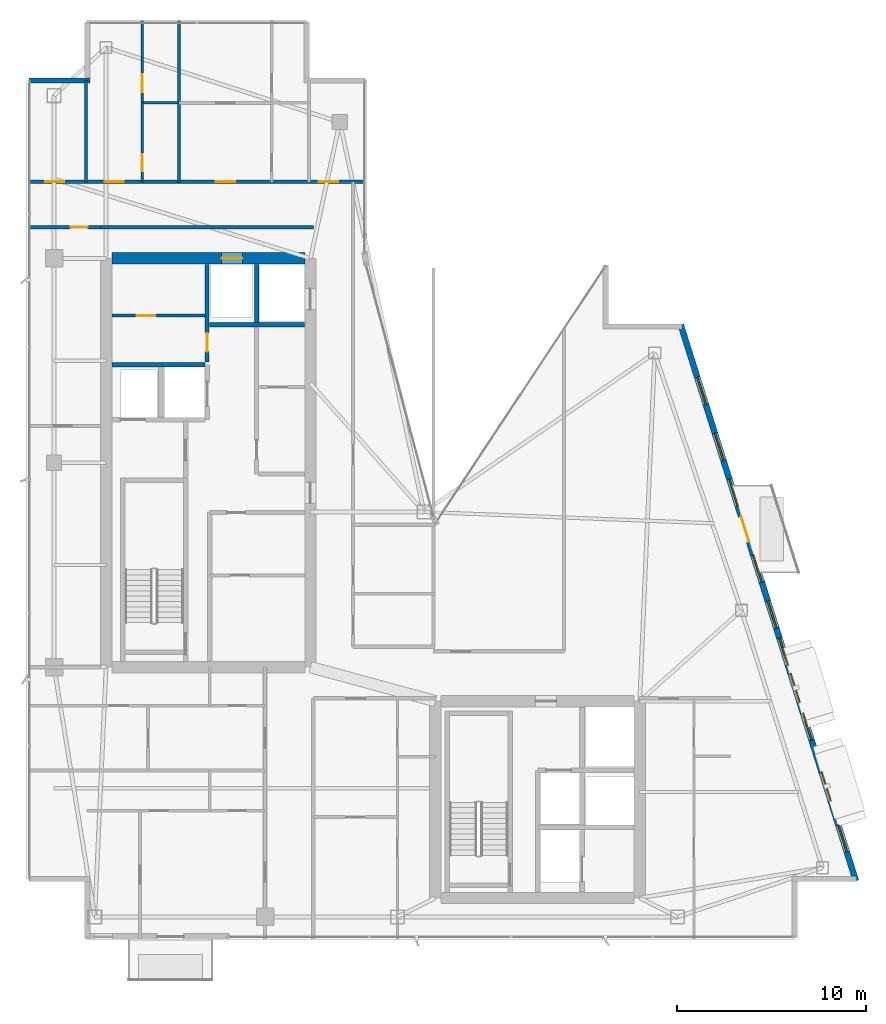
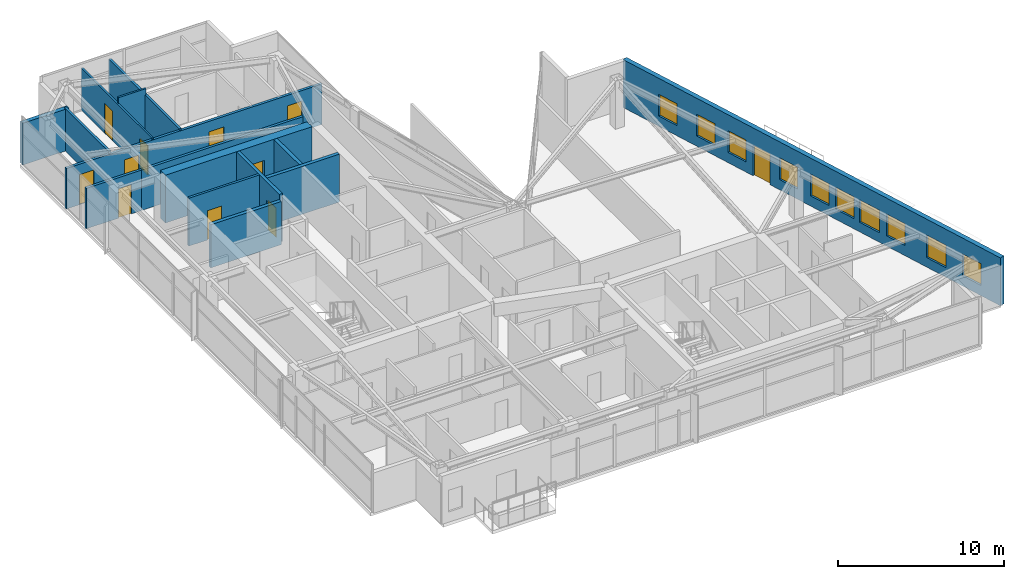
# One storey, part 24 of 27: 15 walls, 11 doors, 10 windows, 21 openings.
"""IFC4 building model written with IfcOpenShell, lengths in metres."""

from ifc_helpers import new_model, si_unit, direction, frame, frame_2d, origin, place, context, subcontext, project, spatial, rectangle, extrude, material, layer, layer_set, type_object, element, fill, save


model = new_model("IFC4")

# Units and contexts
model_context = context("Model", 3, precision=1e-05, world=origin(), true_north=direction((0.0, 1.0)))
body_context = subcontext(model_context, "Body", "Model", "MODEL_VIEW")
ifc_project = project(units=[si_unit("LENGTHUNIT", "METRE"), si_unit("AREAUNIT", "SQUARE_METRE"), si_unit("VOLUMEUNIT", "CUBIC_METRE"), si_unit("PLANEANGLEUNIT", "RADIAN"), si_unit("MASSUNIT", "GRAM", prefix="KILO")], contexts=[model_context])

# Site, building, storey
site_placement = place(None, origin())
site = spatial("IfcSite", under=ifc_project, at=site_placement, CompositionType="ELEMENT")
building_placement = place(site_placement, origin())
building = spatial("IfcBuilding", under=site, at=building_placement, Name="Calvorn Quay Hotel", CompositionType="ELEMENT")
storey_placement = place(building_placement, frame((0.0, 0.0, 278.699951171875)))
storey = spatial("IfcBuildingStorey", under=building, at=storey_placement, Name="L69", CompositionType="ELEMENT", Elevation=278.699951171875)

# Wall, opening, door
ifc_material_1 = material(Name="Concrete C45", Category="concrete")
ifc_layer_1 = layer(ifc_material_1, 0.60009765625)
ifc_layer_set_1 = layer_set([ifc_layer_1], Name="WL-CORE-600")
wall_type_1 = type_object("IfcWallType", Name="WL-CORE-600", PredefinedType="SHEAR", material=ifc_layer_set_1)
wall_1_placement = place(storey_placement, frame((4.5, 38.39990234375, 0.0), z_axis=(0.0, 0.0, 1.0), x_axis=(1.0, 0.0, 0.0)))
wall_1 = element("IfcWall", 1, at=wall_1_placement, inside=storey, type_object=wall_type_1, Name="West Core Shear Wall N (L69)", PredefinedType="SHEAR", context=body_context, shape_type="SweptSolid", body=[
    extrude(rectangle(XDim=10.199951171875, YDim=0.60009765625, at=frame_2d((5.10009765625, 0.0))), origin(), (0.0, 0.0, 1.0), 3.52001953125),
])
opening_1_placement = place(wall_1_placement, frame((5.800048828125, 0.0, 0.0)))
opening_1 = element("IfcOpeningElement", 2, at=opening_1_placement, cuts=wall_1, Name="Opening LD-L69-H2", PredefinedType="OPENING", context=body_context, shape_type="SweptSolid", body=[
    extrude(rectangle(XDim=1.10009765625, YDim=2.199951171875, at=frame_2d((0.550048828125, 1.10009765625))), frame((0.0, 0.31005859375, 0.0), z_axis=(0.0, -1.0, 0.0), x_axis=(1.0, 0.0, 0.0)), (0.0, 0.0, 1.0), 0.6201171875),
])
ifc_material_2 = material(Name="Brushed Stainless Steel Sliding Lift Landing Door", Category="steel")
door_type_1 = type_object("IfcDoorType", Name="DR-LIFT-PASS-1100", OperationType="NOTDEFINED", PredefinedType="DOOR", material=ifc_material_2)
door_1_placement = place(opening_1_placement, origin())
door_1 = element("IfcDoor", 3, at=door_1_placement, inside=storey, type_object=door_type_1, Name="High-Rise Lift PL-H2 Landing Door (L69)", OperationType="DOUBLE_DOOR_SLIDING", OverallHeight=2.199951171875, OverallWidth=1.10009765625, PredefinedType="DOOR", context=body_context, shape_type="SweptSolid", body=[
    extrude(rectangle(XDim=1.10009765625, YDim=2.199951171875, at=frame_2d((0.550048828125, 1.10009765625))), frame((0.0, 0.02490234375, 0.0), z_axis=(0.0, -1.0, 0.0), x_axis=(1.0, 0.0, 0.0)), (0.0, 0.0, 1.0), 0.050048828125),
])
fill(opening_1, door_1)

ifc_material_3 = material(Name="Acoustic Fireboard Steel-Stud Partition", Category="steel")
ifc_layer_2 = layer(ifc_material_3, 0.179931640625)
ifc_layer_set_2 = layer_set([ifc_layer_2], Name="WL-CORR-FIRE-180")
wall_type_2 = type_object("IfcWallType", Name="WL-CORR-FIRE-180", PredefinedType="PARTITIONING", material=ifc_layer_set_2)
wall_2_placement = place(storey_placement, frame((0.080078125, 40.050048828125, 0.0), z_axis=(0.0, 0.0, 1.0), x_axis=(1.0, 0.0, 0.0)))
wall_2 = element("IfcWall", 4, at=wall_2_placement, inside=storey, type_object=wall_type_2, Name="Partition Wall L69-WL-WBAY-N-DOOR", PredefinedType="PARTITIONING", context=body_context, shape_type="SweptSolid", body=[
    extrude(rectangle(XDim=3.849853515625, YDim=0.179931640625, at=frame_2d((1.9248046875, 0.0))), origin(), (0.0, 0.0, 1.0), 2.969970703125),
])
opening_2_placement = place(wall_2_placement, frame((2.25, 0.0, 0.0)))
opening_2 = element("IfcOpeningElement", 5, at=opening_2_placement, cuts=wall_2, Name="Opening D-L69-WBN", PredefinedType="OPENING", context=body_context, shape_type="SweptSolid", body=[
    extrude(rectangle(XDim=0.89990234375, YDim=2.14990234375, at=frame_2d((0.449951171875, 1.074951171875))), frame((0.0, 0.099853515625, 0.0), z_axis=(0.0, -1.0, 0.0), x_axis=(1.0, 0.0, 0.0)), (0.0, 0.0, 1.0), 0.199951171875),
])
ifc_material_4 = material(Name="Moisture-Sealed Timber En-Suite Door", Category="wood")
door_type_2 = type_object("IfcDoorType", Name="DR-ENSUITE-900", OperationType="NOTDEFINED", PredefinedType="DOOR", material=ifc_material_4)
door_2_placement = place(opening_2_placement, origin())
door_2 = element("IfcDoor", 6, at=door_2_placement, inside=storey, type_object=door_type_2, Name="West North Bay Door (L69)", OperationType="SINGLE_SWING_LEFT", OverallHeight=2.14990234375, OverallWidth=0.89990234375, PredefinedType="DOOR", context=body_context, shape_type="SweptSolid", body=[
    extrude(rectangle(XDim=0.89990234375, YDim=2.14990234375, at=frame_2d((0.449951171875, 1.074951171875))), frame((0.0, 0.02490234375, 0.0), z_axis=(0.0, -1.0, 0.0), x_axis=(1.0, 0.0, 0.0)), (0.0, 0.0, 1.0), 0.050048828125),
])
fill(opening_2, door_2)

# Wall, openings, doors
wall_3_placement = place(storey_placement, frame((0.080078125, 42.449951171875, 0.0), z_axis=(0.0, 0.0, 1.0), x_axis=(1.0, 0.0, 0.0)))
wall_3 = element("IfcWall", 7, at=wall_3_placement, inside=storey, type_object=wall_type_2, Name="Partition Wall L69-WL-CORR-NW-N", PredefinedType="PARTITIONING", context=body_context, shape_type="SweptSolid", body=[
    extrude(rectangle(XDim=17.77001953125, YDim=0.179931640625, at=frame_2d((8.885009765625, 0.0))), origin(), (0.0, 0.0, 1.0), 2.969970703125),
])
opening_3_placement = place(wall_3_placement, frame((0.89990234375, 0.0, 0.0)))
opening_3 = element("IfcOpeningElement", 8, at=opening_3_placement, cuts=wall_3, Name="Opening D-L69-NWW", PredefinedType="OPENING", context=body_context, shape_type="SweptSolid", body=[
    extrude(rectangle(XDim=1.02001953125, YDim=2.199951171875, at=frame_2d((0.510009765625, 1.10009765625))), frame((0.0, 0.099853515625, 0.0), z_axis=(0.0, -1.0, 0.0), x_axis=(1.0, 0.0, 0.0)), (0.0, 0.0, 1.0), 0.199951171875),
])
opening_4_placement = place(wall_3_placement, frame((4.0400390625, 0.0, 0.0)))
opening_4 = element("IfcOpeningElement", 9, at=opening_4_placement, cuts=wall_3, Name="Opening D-L69-U04", PredefinedType="OPENING", context=body_context, shape_type="SweptSolid", body=[
    extrude(rectangle(XDim=1.02001953125, YDim=2.199951171875, at=frame_2d((0.510009765625, 1.10009765625))), frame((0.0, 0.099853515625, 0.0), z_axis=(0.0, -1.0, 0.0), x_axis=(1.0, 0.0, 0.0)), (0.0, 0.0, 1.0), 0.199951171875),
])
opening_5_placement = place(wall_3_placement, frame((9.919921875, 0.0, 0.0)))
opening_5 = element("IfcOpeningElement", 10, at=opening_5_placement, cuts=wall_3, Name="Opening D-L69-U05", PredefinedType="OPENING", context=body_context, shape_type="SweptSolid", body=[
    extrude(rectangle(XDim=1.02001953125, YDim=2.199951171875, at=frame_2d((0.510009765625, 1.10009765625))), frame((0.0, 0.099853515625, 0.0), z_axis=(0.0, -1.0, 0.0), x_axis=(1.0, 0.0, 0.0)), (0.0, 0.0, 1.0), 0.199951171875),
])
opening_6_placement = place(wall_3_placement, frame((15.3701171875, 0.0, 0.0)))
opening_6 = element("IfcOpeningElement", 11, at=opening_6_placement, cuts=wall_3, Name="Opening D-L69-NWE", PredefinedType="OPENING", context=body_context, shape_type="SweptSolid", body=[
    extrude(rectangle(XDim=1.02001953125, YDim=2.199951171875, at=frame_2d((0.510009765625, 1.10009765625))), frame((0.0, 0.099853515625, 0.0), z_axis=(0.0, -1.0, 0.0), x_axis=(1.0, 0.0, 0.0)), (0.0, 0.0, 1.0), 0.199951171875),
])
ifc_material_5 = material(Name="Solid-Core Walnut Veneer Hotel Fire Door")
door_type_3 = type_object("IfcDoorType", Name="DR-GUEST-ENTRY-1020", OperationType="NOTDEFINED", PredefinedType="DOOR", material=ifc_material_5)
door_3_placement = place(opening_3_placement, origin())
door_3 = element("IfcDoor", 12, at=door_3_placement, inside=storey, type_object=door_type_3, Name="West Corner Study Door (L69)", OperationType="SINGLE_SWING_LEFT", OverallHeight=2.199951171875, OverallWidth=1.02001953125, PredefinedType="DOOR", context=body_context, shape_type="SweptSolid", body=[
    extrude(rectangle(XDim=1.02001953125, YDim=2.199951171875, at=frame_2d((0.510009765625, 1.10009765625))), frame((0.0, 0.02490234375, 0.0), z_axis=(0.0, -1.0, 0.0), x_axis=(1.0, 0.0, 0.0)), (0.0, 0.0, 1.0), 0.050048828125),
])
fill(opening_3, door_3)
door_4_placement = place(opening_4_placement, origin())
door_4 = element("IfcDoor", 13, at=door_4_placement, inside=storey, type_object=door_type_3, Name="North-West Unit Door U04 (L69)", OperationType="SINGLE_SWING_RIGHT", OverallHeight=2.199951171875, OverallWidth=1.02001953125, PredefinedType="DOOR", context=body_context, shape_type="SweptSolid", body=[
    extrude(rectangle(XDim=1.02001953125, YDim=2.199951171875, at=frame_2d((0.510009765625, 1.10009765625))), frame((0.0, 0.02490234375, 0.0), z_axis=(0.0, -1.0, 0.0), x_axis=(1.0, 0.0, 0.0)), (0.0, 0.0, 1.0), 0.050048828125),
])
fill(opening_4, door_4)
door_5_placement = place(opening_5_placement, origin())
door_5 = element("IfcDoor", 14, at=door_5_placement, inside=storey, type_object=door_type_3, Name="North-West Unit Door U05 (L69)", OperationType="SINGLE_SWING_LEFT", OverallHeight=2.199951171875, OverallWidth=1.02001953125, PredefinedType="DOOR", context=body_context, shape_type="SweptSolid", body=[
    extrude(rectangle(XDim=1.02001953125, YDim=2.199951171875, at=frame_2d((0.510009765625, 1.10009765625))), frame((0.0, 0.02490234375, 0.0), z_axis=(0.0, -1.0, 0.0), x_axis=(1.0, 0.0, 0.0)), (0.0, 0.0, 1.0), 0.050048828125),
])
fill(opening_5, door_5)
door_6_placement = place(opening_6_placement, origin())
door_6 = element("IfcDoor", 15, at=door_6_placement, inside=storey, type_object=door_type_3, Name="Inner Court Study Door (L69)", OperationType="SINGLE_SWING_RIGHT", OverallHeight=2.199951171875, OverallWidth=1.02001953125, PredefinedType="DOOR", context=body_context, shape_type="SweptSolid", body=[
    extrude(rectangle(XDim=1.02001953125, YDim=2.199951171875, at=frame_2d((0.510009765625, 1.10009765625))), frame((0.0, 0.02490234375, 0.0), z_axis=(0.0, -1.0, 0.0), x_axis=(1.0, 0.0, 0.0)), (0.0, 0.0, 1.0), 0.050048828125),
])
fill(opening_6, door_6)

# Walls
wall_4_placement = place(storey_placement, frame((3.8798828125, 40.050048828125, 0.0), z_axis=(0.0, 0.0, 1.0), x_axis=(1.0, 0.0, 0.0)))
element("IfcWall", 16, at=wall_4_placement, inside=storey, type_object=wall_type_2, Name="Partition Wall L69-WL-W-SPUR-S", PredefinedType="PARTITIONING", context=body_context, shape_type="SweptSolid", body=[
    extrude(rectangle(XDim=11.27001953125, YDim=0.179931640625, at=frame_2d((5.635009765625, 0.0))), origin(), (0.0, 0.0, 1.0), 2.969970703125),
])
ifc_material_6 = material(Name="Moisture-Resistant Tile-Backed Partition")
ifc_layer_3 = layer(ifc_material_6, 0.125)
ifc_layer_set_3 = layer_set([ifc_layer_3], Name="WL-ENSUITE-125")
wall_type_3 = type_object("IfcWallType", Name="WL-ENSUITE-125", PredefinedType="PARTITIONING", material=ifc_layer_set_3)
wall_5_placement = place(storey_placement, frame((6.1201171875, 46.6201171875, 0.0), z_axis=(0.0, 0.0, 1.0), x_axis=(1.0, 0.0, 0.0)))
element("IfcWall", 17, at=wall_5_placement, inside=storey, type_object=wall_type_3, Name="Partition Wall L69-WL-U04-BDV", PredefinedType="PARTITIONING", context=body_context, shape_type="SweptSolid", body=[
    extrude(rectangle(XDim=1.929931640625, YDim=0.125, at=frame_2d((0.96484375, 0.0))), origin(), (0.0, 0.0, 1.0), 3.52001953125),
])

# Wall, openings, doors
wall_6_placement = place(storey_placement, frame((6.1201171875, 42.449951171875, 0.0), z_axis=(0.0, 0.0, 1.0), x_axis=(0.0, 1.0, 0.0)))
wall_6 = element("IfcWall", 18, at=wall_6_placement, inside=storey, type_object=wall_type_3, Name="Partition Wall L69-WL-U04-BV", PredefinedType="PARTITIONING", context=body_context, shape_type="SweptSolid", body=[
    extrude(rectangle(XDim=8.489990234375, YDim=0.125, at=frame_2d((4.2451171875, 0.0))), origin(), (0.0, 0.0, 1.0), 3.070068359375),
])
opening_7_placement = place(wall_6_placement, frame((0.550048828125, 0.0, 0.0)))
opening_7 = element("IfcOpeningElement", 19, at=opening_7_placement, cuts=wall_6, Name="Opening D-L69-E04", PredefinedType="OPENING", context=body_context, shape_type="SweptSolid", body=[
    extrude(rectangle(XDim=0.89990234375, YDim=2.14990234375, at=frame_2d((0.449951171875, 1.074951171875))), frame((0.0, 0.072509765625, 0.0), z_axis=(0.0, -1.0, 0.0), x_axis=(1.0, 0.0, 0.0)), (0.0, 0.0, 1.0), 0.14501953125),
])
opening_8_placement = place(wall_6_placement, frame((4.719970703125, 0.0, 0.0)))
opening_8 = element("IfcOpeningElement", 20, at=opening_8_placement, cuts=wall_6, Name="Opening D-L69-S04", PredefinedType="OPENING", context=body_context, shape_type="SweptSolid", body=[
    extrude(rectangle(XDim=0.9599609375, YDim=2.199951171875, at=frame_2d((0.47998046875, 1.10009765625))), frame((0.0, 0.072509765625, 0.0), z_axis=(0.0, -1.0, 0.0), x_axis=(1.0, 0.0, 0.0)), (0.0, 0.0, 1.0), 0.14501953125),
])
door_7_placement = place(opening_7_placement, origin())
door_7 = element("IfcDoor", 21, at=door_7_placement, inside=storey, type_object=door_type_2, Name="En-Suite Door 04", OperationType="SINGLE_SWING_LEFT", OverallHeight=2.14990234375, OverallWidth=0.89990234375, PredefinedType="DOOR", context=body_context, shape_type="SweptSolid", body=[
    extrude(rectangle(XDim=0.89990234375, YDim=2.14990234375, at=frame_2d((0.449951171875, 1.074951171875))), frame((0.0, 0.02490234375, 0.0), z_axis=(0.0, -1.0, 0.0), x_axis=(1.0, 0.0, 0.0)), (0.0, 0.0, 1.0), 0.050048828125),
])
fill(opening_7, door_7)
ifc_material_7 = material(Name="Solid Timber Internal Suite Door", Category="wood")
door_type_4 = type_object("IfcDoorType", Name="DR-SUITE-INT-960", OperationType="NOTDEFINED", PredefinedType="DOOR", material=ifc_material_7)
door_8_placement = place(opening_8_placement, origin())
door_8 = element("IfcDoor", 22, at=door_8_placement, inside=storey, type_object=door_type_4, Name="Harbour Tea Room Door 04", OperationType="SINGLE_SWING_RIGHT", OverallHeight=2.199951171875, OverallWidth=0.9599609375, PredefinedType="DOOR", context=body_context, shape_type="SweptSolid", body=[
    extrude(rectangle(XDim=0.9599609375, YDim=2.199951171875, at=frame_2d((0.47998046875, 1.10009765625))), frame((0.0, 0.02490234375, 0.0), z_axis=(0.0, -1.0, 0.0), x_axis=(1.0, 0.0, 0.0)), (0.0, 0.0, 1.0), 0.050048828125),
])
fill(opening_8, door_8)

# Wall
ifc_material_8 = material(Name="Concrete C40", Category="concrete")
ifc_layer_4 = layer(ifc_material_8, 0.320068359375)
ifc_layer_set_4 = layer_set([ifc_layer_4], Name="WL-EXT-SPANDREL-320")
wall_type_4 = type_object("IfcWallType", Name="WL-EXT-SPANDREL-320", PredefinedType="SOLIDWALL", material=ifc_layer_set_4)
wall_7_placement = place(storey_placement, frame((3.340087890625, 47.800048828125, 0.0), z_axis=(0.0, 0.0, 1.0), x_axis=(-1.0, 0.0, 0.0)))
element("IfcWall", 23, at=wall_7_placement, inside=storey, type_object=wall_type_4, Name="Notched Corner Spandrel L69-NW2", PredefinedType="SOLIDWALL", context=body_context, shape_type="SweptSolid", body=[
    extrude(rectangle(XDim=3.219970703125, YDim=0.280029296875, at=frame_2d((1.60986328125, 0.0))), origin(), (0.0, 0.0, 1.0), 3.070068359375),
])

# Wall, openings, door, windows
wall_8_placement = place(storey_placement, frame((43.830078125, 5.5048828125, 0.0), z_axis=(0.0, 0.0, 1.0), x_axis=(-0.300509063924, 0.953778958931, 0.0)))
wall_8 = element("IfcWall", 24, at=wall_8_placement, inside=storey, type_object=wall_type_4, Name="East Stepped Waterfront Exterior Wall (L69)", PredefinedType="SOLIDWALL", context=body_context, shape_type="SweptSolid", body=[
    extrude(rectangle(XDim=30.814453125, YDim=0.320068359375, at=frame_2d((15.4072265625, 0.0))), origin(), (0.0, 0.0, 1.0), 3.52001953125),
])
opening_9_placement = place(wall_8_placement, frame((18.7958984375, 0.0, 0.0)))
opening_9 = element("IfcOpeningElement", 25, at=opening_9_placement, cuts=wall_8, Name="Opening DB-L69-1", PredefinedType="OPENING", context=body_context, shape_type="SweptSolid", body=[
    extrude(rectangle(XDim=1.39990234375, YDim=2.25, at=frame_2d((0.699951171875, 1.125))), frame((0.0, 0.169921875, 0.0), z_axis=(0.0, -1.0, 0.0), x_axis=(1.0, 0.0, 0.0)), (0.0, 0.0, 1.0), 0.340087890625),
])
opening_10_placement = place(wall_8_placement, frame((4.43701171875, 0.0, 0.699951171875)))
opening_10 = element("IfcOpeningElement", 26, at=opening_10_placement, cuts=wall_8, Name="Opening WHD-L69-1", PredefinedType="OPENING", context=body_context, shape_type="SweptSolid", body=[
    extrude(rectangle(XDim=1.60009765625, YDim=1.64990234375, at=frame_2d((0.800048828125, 0.824951171875))), frame((0.0, 0.169921875, 0.0), z_axis=(0.0, -1.0, 0.0), x_axis=(1.0, 0.0, 0.0)), (0.0, 0.0, 1.0), 0.340087890625),
])
opening_11_placement = place(wall_8_placement, frame((9.888916015625, 0.0, 0.699951171875)))
opening_11 = element("IfcOpeningElement", 27, at=opening_11_placement, cuts=wall_8, Name="Opening WHD-L69-2", PredefinedType="OPENING", context=body_context, shape_type="SweptSolid", body=[
    extrude(rectangle(XDim=1.60009765625, YDim=1.64990234375, at=frame_2d((0.800048828125, 0.824951171875))), frame((0.0, 0.169921875, 0.0), z_axis=(0.0, -1.0, 0.0), x_axis=(1.0, 0.0, 0.0)), (0.0, 0.0, 1.0), 0.340087890625),
])
opening_12_placement = place(wall_8_placement, frame((1.60009765625, 0.0, 0.75)))
opening_12 = element("IfcOpeningElement", 28, at=opening_12_placement, cuts=wall_8, Name="Opening WG-L69-E1", PredefinedType="OPENING", context=body_context, shape_type="SweptSolid", body=[
    extrude(rectangle(XDim=1.5, YDim=1.60009765625, at=frame_2d((0.75, 0.800048828125))), frame((0.0, 0.169921875, 0.0), z_axis=(0.0, -1.0, 0.0), x_axis=(1.0, 0.0, 0.0)), (0.0, 0.0, 1.0), 0.340087890625),
])
opening_13_placement = place(wall_8_placement, frame((7.800048828125, 0.0, 0.75)))
opening_13 = element("IfcOpeningElement", 29, at=opening_13_placement, cuts=wall_8, Name="Opening WG-L69-E2", PredefinedType="OPENING", context=body_context, shape_type="SweptSolid", body=[
    extrude(rectangle(XDim=1.5, YDim=1.60009765625, at=frame_2d((0.75, 0.800048828125))), frame((0.0, 0.169921875, 0.0), z_axis=(0.0, -1.0, 0.0), x_axis=(1.0, 0.0, 0.0)), (0.0, 0.0, 1.0), 0.340087890625),
])
opening_14_placement = place(wall_8_placement, frame((11.949951171875, 0.0, 0.75)))
opening_14 = element("IfcOpeningElement", 30, at=opening_14_placement, cuts=wall_8, Name="Opening WG-L69-E3", PredefinedType="OPENING", context=body_context, shape_type="SweptSolid", body=[
    extrude(rectangle(XDim=1.5, YDim=1.60009765625, at=frame_2d((0.75, 0.800048828125))), frame((0.0, 0.169921875, 0.0), z_axis=(0.0, -1.0, 0.0), x_axis=(1.0, 0.0, 0.0)), (0.0, 0.0, 1.0), 0.340087890625),
])
opening_15_placement = place(wall_8_placement, frame((14.0, 0.0, 0.75)))
opening_15 = element("IfcOpeningElement", 31, at=opening_15_placement, cuts=wall_8, Name="Opening WG-L69-E4", PredefinedType="OPENING", context=body_context, shape_type="SweptSolid", body=[
    extrude(rectangle(XDim=1.5, YDim=1.60009765625, at=frame_2d((0.75, 0.800048828125))), frame((0.0, 0.169921875, 0.0), z_axis=(0.0, -1.0, 0.0), x_axis=(1.0, 0.0, 0.0)), (0.0, 0.0, 1.0), 0.340087890625),
])
opening_16_placement = place(wall_8_placement, frame((16.550048828125, 0.0, 0.75)))
opening_16 = element("IfcOpeningElement", 32, at=opening_16_placement, cuts=wall_8, Name="Opening WG-L69-E5", PredefinedType="OPENING", context=body_context, shape_type="SweptSolid", body=[
    extrude(rectangle(XDim=1.5, YDim=1.60009765625, at=frame_2d((0.75, 0.800048828125))), frame((0.0, 0.169921875, 0.0), z_axis=(0.0, -1.0, 0.0), x_axis=(1.0, 0.0, 0.0)), (0.0, 0.0, 1.0), 0.340087890625),
])
opening_17_placement = place(wall_8_placement, frame((20.75, 0.0, 0.75)))
opening_17 = element("IfcOpeningElement", 33, at=opening_17_placement, cuts=wall_8, Name="Opening WG-L69-E6", PredefinedType="OPENING", context=body_context, shape_type="SweptSolid", body=[
    extrude(rectangle(XDim=1.5, YDim=1.60009765625, at=frame_2d((0.75, 0.800048828125))), frame((0.0, 0.169921875, 0.0), z_axis=(0.0, -1.0, 0.0), x_axis=(1.0, 0.0, 0.0)), (0.0, 0.0, 1.0), 0.340087890625),
])
opening_18_placement = place(wall_8_placement, frame((23.300048828125, 0.0, 0.75)))
opening_18 = element("IfcOpeningElement", 34, at=opening_18_placement, cuts=wall_8, Name="Opening WG-L69-E7", PredefinedType="OPENING", context=body_context, shape_type="SweptSolid", body=[
    extrude(rectangle(XDim=1.5, YDim=1.60009765625, at=frame_2d((0.75, 0.800048828125))), frame((0.0, 0.169921875, 0.0), z_axis=(0.0, -1.0, 0.0), x_axis=(1.0, 0.0, 0.0)), (0.0, 0.0, 1.0), 0.340087890625),
])
opening_19_placement = place(wall_8_placement, frame((26.39990234375, 0.0, 0.75)))
opening_19 = element("IfcOpeningElement", 35, at=opening_19_placement, cuts=wall_8, Name="Opening WG-L69-E8", PredefinedType="OPENING", context=body_context, shape_type="SweptSolid", body=[
    extrude(rectangle(XDim=1.5, YDim=1.60009765625, at=frame_2d((0.75, 0.800048828125))), frame((0.0, 0.169921875, 0.0), z_axis=(0.0, -1.0, 0.0), x_axis=(1.0, 0.0, 0.0)), (0.0, 0.0, 1.0), 0.340087890625),
])
ifc_material_9 = material(Name="Typhoon-Rated Low-E Aluminium Terrace Door", Category="aluminium")
door_type_5 = type_object("IfcDoorType", Name="DR-BALCONY-GLZ-1400", OperationType="NOTDEFINED", PredefinedType="DOOR", material=ifc_material_9)
door_9_placement = place(opening_9_placement, origin())
door_9 = element("IfcDoor", 36, at=door_9_placement, inside=storey, type_object=door_type_5, Name="Tree Balcony Terrace Door L69-BALC-E", OperationType="SINGLE_SWING_LEFT", OverallHeight=2.25, OverallWidth=1.39990234375, PredefinedType="DOOR", context=body_context, shape_type="SweptSolid", body=[
    extrude(rectangle(XDim=1.39990234375, YDim=2.25, at=frame_2d((0.699951171875, 1.125))), frame((0.0, 0.02490234375, 0.0), z_axis=(0.0, -1.0, 0.0), x_axis=(1.0, 0.0, 0.0)), (0.0, 0.0, 1.0), 0.050048828125),
])
fill(opening_9, door_9)
ifc_material_10 = material(Name="Champagne-Bronze Aluminium Low-E Window", Category="aluminium")
window_type_1 = type_object("IfcWindowType", Name="WIN-GUEST-SIDE-1600x2100", PartitioningType="SINGLE_PANEL", PredefinedType="WINDOW", material=ifc_material_10)
window_1_placement = place(opening_10_placement, origin())
window_1 = element("IfcWindow", 37, at=window_1_placement, inside=storey, type_object=window_type_1, Name="Bay Hood Window L69-HOOD-1", OverallHeight=1.64990234375, OverallWidth=1.60009765625, PartitioningType="SINGLE_PANEL", PredefinedType="WINDOW", context=body_context, shape_type="SweptSolid", body=[
    extrude(rectangle(XDim=1.60009765625, YDim=1.64990234375, at=frame_2d((0.800048828125, 0.824951171875))), frame((0.0, 0.030029296875, 0.0), z_axis=(0.0, -1.0, 0.0), x_axis=(1.0, 0.0, 0.0)), (0.0, 0.0, 1.0), 0.06005859375),
])
fill(opening_10, window_1)
window_2_placement = place(opening_11_placement, origin())
window_2 = element("IfcWindow", 38, at=window_2_placement, inside=storey, type_object=window_type_1, Name="Bay Hood Window L69-HOOD-2", OverallHeight=1.64990234375, OverallWidth=1.60009765625, PartitioningType="SINGLE_PANEL", PredefinedType="WINDOW", context=body_context, shape_type="SweptSolid", body=[
    extrude(rectangle(XDim=1.60009765625, YDim=1.64990234375, at=frame_2d((0.800048828125, 0.824951171875))), frame((0.0, 0.030029296875, 0.0), z_axis=(0.0, -1.0, 0.0), x_axis=(1.0, 0.0, 0.0)), (0.0, 0.0, 1.0), 0.06005859375),
])
fill(opening_11, window_2)
ifc_material_11 = material(Name="Self-Closing Class B Fire Window")
window_type_2 = type_object("IfcWindowType", Name="WIN-REFUGE-1500x1600", PartitioningType="SINGLE_PANEL", PredefinedType="WINDOW", material=ifc_material_11)
window_3_placement = place(opening_12_placement, origin())
window_3 = element("IfcWindow", 39, at=window_3_placement, inside=storey, type_object=window_type_2, Name="East Facade Window L69-E1", OverallHeight=1.60009765625, OverallWidth=1.5, PartitioningType="SINGLE_PANEL", PredefinedType="WINDOW", context=body_context, shape_type="SweptSolid", body=[
    extrude(rectangle(XDim=1.5, YDim=1.60009765625, at=frame_2d((0.75, 0.800048828125))), frame((0.0, 0.030029296875, 0.0), z_axis=(0.0, -1.0, 0.0), x_axis=(1.0, 0.0, 0.0)), (0.0, 0.0, 1.0), 0.06005859375),
])
fill(opening_12, window_3)
window_4_placement = place(opening_13_placement, origin())
window_4 = element("IfcWindow", 40, at=window_4_placement, inside=storey, type_object=window_type_2, Name="East Facade Window L69-E2", OverallHeight=1.60009765625, OverallWidth=1.5, PartitioningType="SINGLE_PANEL", PredefinedType="WINDOW", context=body_context, shape_type="SweptSolid", body=[
    extrude(rectangle(XDim=1.5, YDim=1.60009765625, at=frame_2d((0.75, 0.800048828125))), frame((0.0, 0.030029296875, 0.0), z_axis=(0.0, -1.0, 0.0), x_axis=(1.0, 0.0, 0.0)), (0.0, 0.0, 1.0), 0.06005859375),
])
fill(opening_13, window_4)
window_5_placement = place(opening_14_placement, origin())
window_5 = element("IfcWindow", 41, at=window_5_placement, inside=storey, type_object=window_type_2, Name="East Facade Window L69-E3", OverallHeight=1.60009765625, OverallWidth=1.5, PartitioningType="SINGLE_PANEL", PredefinedType="WINDOW", context=body_context, shape_type="SweptSolid", body=[
    extrude(rectangle(XDim=1.5, YDim=1.60009765625, at=frame_2d((0.75, 0.800048828125))), frame((0.0, 0.030029296875, 0.0), z_axis=(0.0, -1.0, 0.0), x_axis=(1.0, 0.0, 0.0)), (0.0, 0.0, 1.0), 0.06005859375),
])
fill(opening_14, window_5)
window_6_placement = place(opening_15_placement, origin())
window_6 = element("IfcWindow", 42, at=window_6_placement, inside=storey, type_object=window_type_2, Name="East Facade Window L69-E4", OverallHeight=1.60009765625, OverallWidth=1.5, PartitioningType="SINGLE_PANEL", PredefinedType="WINDOW", context=body_context, shape_type="SweptSolid", body=[
    extrude(rectangle(XDim=1.5, YDim=1.60009765625, at=frame_2d((0.75, 0.800048828125))), frame((0.0, 0.030029296875, 0.0), z_axis=(0.0, -1.0, 0.0), x_axis=(1.0, 0.0, 0.0)), (0.0, 0.0, 1.0), 0.06005859375),
])
fill(opening_15, window_6)
window_7_placement = place(opening_16_placement, origin())
window_7 = element("IfcWindow", 43, at=window_7_placement, inside=storey, type_object=window_type_2, Name="East Facade Window L69-E5", OverallHeight=1.60009765625, OverallWidth=1.5, PartitioningType="SINGLE_PANEL", PredefinedType="WINDOW", context=body_context, shape_type="SweptSolid", body=[
    extrude(rectangle(XDim=1.5, YDim=1.60009765625, at=frame_2d((0.75, 0.800048828125))), frame((0.0, 0.030029296875, 0.0), z_axis=(0.0, -1.0, 0.0), x_axis=(1.0, 0.0, 0.0)), (0.0, 0.0, 1.0), 0.06005859375),
])
fill(opening_16, window_7)
window_8_placement = place(opening_17_placement, origin())
window_8 = element("IfcWindow", 44, at=window_8_placement, inside=storey, type_object=window_type_2, Name="East Facade Window L69-E6", OverallHeight=1.60009765625, OverallWidth=1.5, PartitioningType="SINGLE_PANEL", PredefinedType="WINDOW", context=body_context, shape_type="SweptSolid", body=[
    extrude(rectangle(XDim=1.5, YDim=1.60009765625, at=frame_2d((0.75, 0.800048828125))), frame((0.0, 0.030029296875, 0.0), z_axis=(0.0, -1.0, 0.0), x_axis=(1.0, 0.0, 0.0)), (0.0, 0.0, 1.0), 0.06005859375),
])
fill(opening_17, window_8)
window_9_placement = place(opening_18_placement, origin())
window_9 = element("IfcWindow", 45, at=window_9_placement, inside=storey, type_object=window_type_2, Name="East Facade Window L69-E7", OverallHeight=1.60009765625, OverallWidth=1.5, PartitioningType="SINGLE_PANEL", PredefinedType="WINDOW", context=body_context, shape_type="SweptSolid", body=[
    extrude(rectangle(XDim=1.5, YDim=1.60009765625, at=frame_2d((0.75, 0.800048828125))), frame((0.0, 0.030029296875, 0.0), z_axis=(0.0, -1.0, 0.0), x_axis=(1.0, 0.0, 0.0)), (0.0, 0.0, 1.0), 0.06005859375),
])
fill(opening_18, window_9)
window_10_placement = place(opening_19_placement, origin())
window_10 = element("IfcWindow", 46, at=window_10_placement, inside=storey, type_object=window_type_2, Name="East Facade Window L69-E8", OverallHeight=1.60009765625, OverallWidth=1.5, PartitioningType="SINGLE_PANEL", PredefinedType="WINDOW", context=body_context, shape_type="SweptSolid", body=[
    extrude(rectangle(XDim=1.5, YDim=1.60009765625, at=frame_2d((0.75, 0.800048828125))), frame((0.0, 0.030029296875, 0.0), z_axis=(0.0, -1.0, 0.0), x_axis=(1.0, 0.0, 0.0)), (0.0, 0.0, 1.0), 0.06005859375),
])
fill(opening_19, window_10)

# Wall, opening, door
ifc_material_12 = material(Name="Double-Stud Acoustic Gypsum Partition")
ifc_layer_5 = layer(ifc_material_12, 0.159912109375)
ifc_layer_set_5 = layer_set([ifc_layer_5], Name="WL-INTERSUITE-160")
wall_type_5 = type_object("IfcWallType", Name="WL-INTERSUITE-160", PredefinedType="PARTITIONING", material=ifc_layer_set_5)
wall_9_placement = place(storey_placement, frame((4.52001953125, 35.3798828125, 0.0), z_axis=(0.0, 0.0, 1.0), x_axis=(1.0, 0.0, 0.0)))
wall_9 = element("IfcWall", 47, at=wall_9_placement, inside=storey, type_object=wall_type_5, Name="Partition Wall L69-WL-CWW-K-MID", PredefinedType="PARTITIONING", context=body_context, shape_type="SweptSolid", body=[
    extrude(rectangle(XDim=4.89990234375, YDim=0.159912109375, at=frame_2d((2.449951171875, 0.0))), origin(), (0.0, 0.0, 1.0), 3.52001953125),
])
opening_20_placement = place(wall_9_placement, frame((1.300048828125, 0.0, 0.0)))
opening_20 = element("IfcOpeningElement", 48, at=opening_20_placement, cuts=wall_9, Name="Opening D-L69-CK2", PredefinedType="OPENING", context=body_context, shape_type="SweptSolid", body=[
    extrude(rectangle(XDim=0.97998046875, YDim=2.14990234375, at=frame_2d((0.489990234375, 1.074951171875))), frame((0.0, 0.08984375, 0.0), z_axis=(0.0, -1.0, 0.0), x_axis=(1.0, 0.0, 0.0)), (0.0, 0.0, 1.0), 0.179931640625),
])
ifc_material_13 = material(Name="Painted Steel Housekeeping/Riser Fire Door", Category="steel")
door_type_6 = type_object("IfcDoorType", Name="DR-SERVICE-980", OperationType="NOTDEFINED", PredefinedType="DOOR", material=ifc_material_13)
door_10_placement = place(opening_20_placement, origin())
door_10 = element("IfcDoor", 49, at=door_10_placement, inside=storey, type_object=door_type_6, Name="Electrical Riser Door (L69)", OperationType="SINGLE_SWING_RIGHT", OverallHeight=2.14990234375, OverallWidth=0.97998046875, PredefinedType="DOOR", context=body_context, shape_type="SweptSolid", body=[
    extrude(rectangle(XDim=0.97998046875, YDim=2.14990234375, at=frame_2d((0.489990234375, 1.074951171875))), frame((0.0, 0.02490234375, 0.0), z_axis=(0.0, -1.0, 0.0), x_axis=(1.0, 0.0, 0.0)), (0.0, 0.0, 1.0), 0.050048828125),
])
fill(opening_20, door_10)

# Walls
wall_10_placement = place(storey_placement, frame((3.14990234375, 42.449951171875, 0.0), z_axis=(0.0, 0.0, 1.0), x_axis=(0.0, 1.0, 0.0)))
element("IfcWall", 50, at=wall_10_placement, inside=storey, type_object=wall_type_5, Name="Partition Wall L69-WL-NW-DIV-W0", PredefinedType="PARTITIONING", context=body_context, shape_type="SweptSolid", body=[
    extrude(rectangle(XDim=5.35009765625, YDim=0.159912109375, at=frame_2d((2.675048828125, 0.0))), origin(), (0.0, 0.0, 1.0), 3.1201171875),
])
wall_11_placement = place(storey_placement, frame((8.050048828125, 42.449951171875, 0.0), z_axis=(0.0, 0.0, 1.0), x_axis=(0.0, 1.0, 0.0)))
element("IfcWall", 51, at=wall_11_placement, inside=storey, type_object=wall_type_5, Name="Partition Wall L69-WL-NW-DIV-1", PredefinedType="PARTITIONING", context=body_context, shape_type="SweptSolid", body=[
    extrude(rectangle(XDim=8.489990234375, YDim=0.159912109375, at=frame_2d((4.2451171875, 0.0))), origin(), (0.0, 0.0, 1.0), 3.070068359375),
])

# Wall, opening, door
ifc_material_14 = material(Name="Autoclaved Aerated Masonry Block", Category="masonry")
ifc_layer_6 = layer(ifc_material_14, 0.219970703125)
ifc_layer_set_6 = layer_set([ifc_layer_6], Name="WL-LOBBY-FIRE-220")
wall_type_6 = type_object("IfcWallType", Name="WL-LOBBY-FIRE-220", PredefinedType="SOLIDWALL", material=ifc_layer_set_6)
wall_12_placement = place(storey_placement, frame((9.5400390625, 32.919921875, 0.0), z_axis=(0.0, 0.0, 1.0), x_axis=(0.0, 1.0, 0.0)))
wall_12 = element("IfcWall", 52, at=wall_12_placement, inside=storey, type_object=wall_type_6, Name="Partition Wall L69-WL-CWW-K-E", PredefinedType="SOLIDWALL", context=body_context, shape_type="SweptSolid", body=[
    extrude(rectangle(XDim=5.16015625, YDim=0.219970703125, at=frame_2d((2.580078125, 0.0))), origin(), (0.0, 0.0, 1.0), 3.52001953125),
])
opening_21_placement = place(wall_12_placement, frame((0.550048828125, 0.0, 0.0)))
opening_21 = element("IfcOpeningElement", 53, at=opening_21_placement, cuts=wall_12, Name="Opening D-L69-CK1", PredefinedType="OPENING", context=body_context, shape_type="SweptSolid", body=[
    extrude(rectangle(XDim=0.97998046875, YDim=2.14990234375, at=frame_2d((0.489990234375, 1.074951171875))), frame((0.0, 0.119873046875, 0.0), z_axis=(0.0, -1.0, 0.0), x_axis=(1.0, 0.0, 0.0)), (0.0, 0.0, 1.0), 0.239990234375),
])
door_11_placement = place(opening_21_placement, origin())
door_11 = element("IfcDoor", 54, at=door_11_placement, inside=storey, type_object=door_type_6, Name="Core Housekeeping Door (L69)", OperationType="SINGLE_SWING_LEFT", OverallHeight=2.14990234375, OverallWidth=0.97998046875, PredefinedType="DOOR", context=body_context, shape_type="SweptSolid", body=[
    extrude(rectangle(XDim=0.97998046875, YDim=2.14990234375, at=frame_2d((0.489990234375, 1.074951171875))), frame((0.0, 0.02490234375, 0.0), z_axis=(0.0, -1.0, 0.0), x_axis=(1.0, 0.0, 0.0)), (0.0, 0.0, 1.0), 0.050048828125),
])
fill(opening_21, door_11)

# Walls
ifc_material_15 = material(Name="Concrete C40", Category="concrete")
ifc_layer_7 = layer(ifc_material_15, 0.239990234375)
ifc_layer_set_7 = layer_set([ifc_layer_7], Name="WL-SHAFT-240")
wall_type_7 = type_object("IfcWallType", Name="WL-SHAFT-240", PredefinedType="SOLIDWALL", material=ifc_layer_set_7)
wall_13_placement = place(storey_placement, frame((4.52001953125, 32.780029296875, 0.0), z_axis=(0.0, 0.0, 1.0), x_axis=(1.0, 0.0, 0.0)))
element("IfcWall", 55, at=wall_13_placement, inside=storey, type_object=wall_type_7, Name="Partition Wall L69-WL-CWW-SLW-N", PredefinedType="SOLIDWALL", context=body_context, shape_type="SweptSolid", body=[
    extrude(rectangle(XDim=4.89990234375, YDim=0.239990234375, at=frame_2d((2.449951171875, 0.0))), origin(), (0.0, 0.0, 1.0), 3.170166015625),
])
wall_14_placement = place(storey_placement, frame((9.659912109375, 34.89990234375, 0.0), z_axis=(0.0, 0.0, 1.0), x_axis=(1.0, 0.0, 0.0)))
element("IfcWall", 56, at=wall_14_placement, inside=storey, type_object=wall_type_7, Name="Partition Wall L69-WL-CWW-PLH-S", PredefinedType="SOLIDWALL", context=body_context, shape_type="SweptSolid", body=[
    extrude(rectangle(XDim=5.02001953125, YDim=0.239990234375, at=frame_2d((2.510009765625, 0.0))), origin(), (0.0, 0.0, 1.0), 3.52001953125),
])
wall_15_placement = place(storey_placement, frame((12.14990234375, 35.02001953125, 0.0), z_axis=(0.0, 0.0, 1.0), x_axis=(0.0, 1.0, 0.0)))
element("IfcWall", 57, at=wall_15_placement, inside=storey, type_object=wall_type_7, Name="Partition Wall L69-WL-CWW-PLH-DIV", PredefinedType="SOLIDWALL", context=body_context, shape_type="SweptSolid", body=[
    extrude(rectangle(XDim=3.06005859375, YDim=0.239990234375, at=frame_2d((1.530029296875, 0.0))), origin(), (0.0, 0.0, 1.0), 3.52001953125),
])

save(model, "model.ifc")
